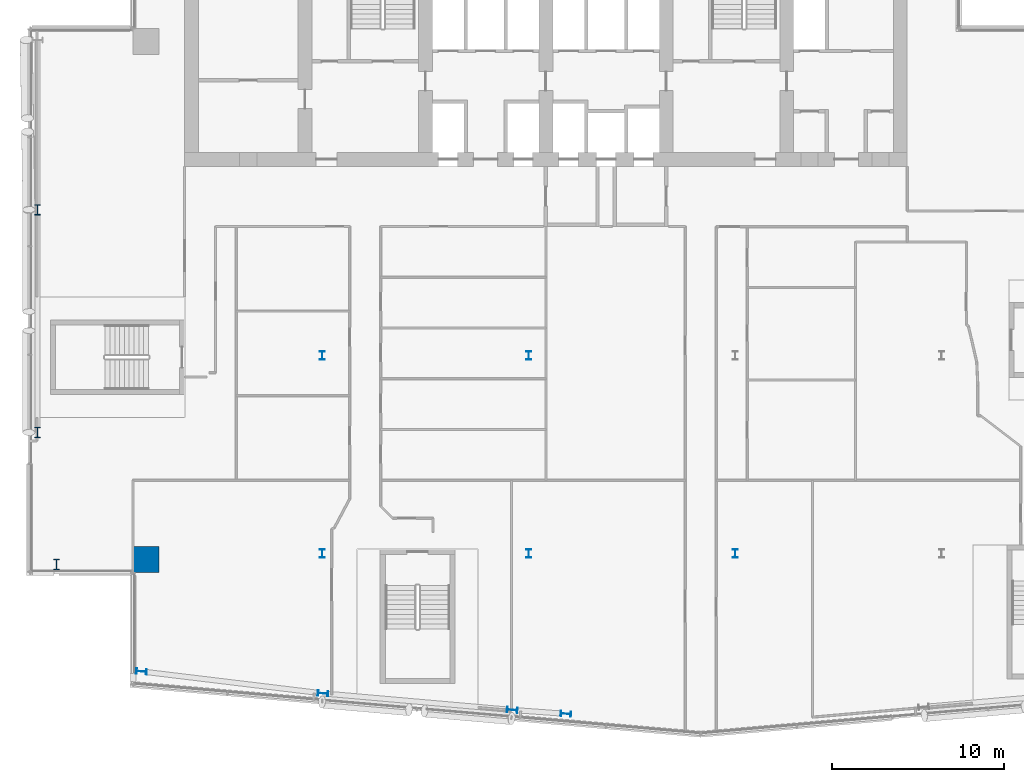
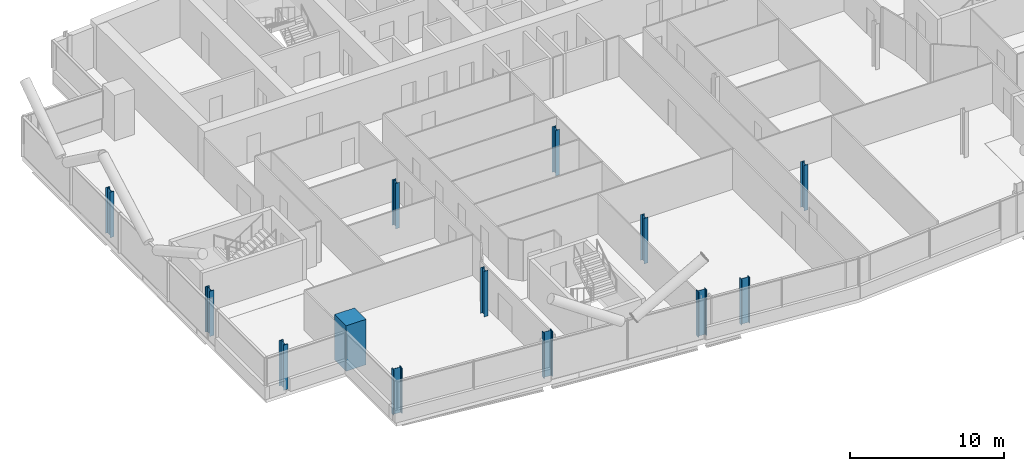
# One storey, part 1 of 26: 13 columns.
"""IFC4 building model written with IfcOpenShell, lengths in metres."""

from ifc_helpers import new_model, si_unit, direction, frame, origin, origin_2d, place, context, subcontext, project, spatial, rectangle, i_section, extrude, material, material_profile, profile_set, type_object, element, save


model = new_model("IFC4")

# Units and contexts
model_context = context("Model", 3, precision=1e-05, world=origin(), true_north=direction((0.0, 1.0)))
body_context = subcontext(model_context, "Body", "Model", "MODEL_VIEW")
ifc_project = project(units=[si_unit("LENGTHUNIT", "METRE"), si_unit("AREAUNIT", "SQUARE_METRE"), si_unit("VOLUMEUNIT", "CUBIC_METRE"), si_unit("PLANEANGLEUNIT", "RADIAN"), si_unit("MASSUNIT", "GRAM", prefix="KILO")], contexts=[model_context])

# Site, building, storey
site_placement = place(None, origin())
site = spatial("IfcSite", under=ifc_project, at=site_placement, CompositionType="ELEMENT")
building_placement = place(site_placement, origin())
building = spatial("IfcBuilding", under=site, at=building_placement, Name="Wharfspan Tower", CompositionType="ELEMENT")
storey_placement = place(building_placement, frame((0.0, 0.0, 173.5)))
storey = spatial("IfcBuildingStorey", under=building, at=storey_placement, Name="L42", CompositionType="ELEMENT", Elevation=173.5)

# Columns
ifc_material_1 = material(Name="Steel S355J2", Category="steel")
ifc_material_profile_1 = material_profile(ifc_material_1, i_section(OverallWidth=0.300049, OverallDepth=0.5, WebThickness=0.014404, FlangeThickness=0.028076, FilletRadius=0.0271, at=origin_2d()))
ifc_profile_set_1 = profile_set([ifc_material_profile_1], Name="Steel S355J2")
column_type_1 = type_object("IfcColumnType", Name="Column HEB 500", PredefinedType="COLUMN", material=ifc_profile_set_1)
for number, where, z_axis, x_axis, name in (
    (1, (24.0, 11.5, 0.0), (0.0, 0.0, 1.0), (1.0, 0.0, 0.0), "Interior column I.1.1 L42"),
    (2, (36.0, 11.5, 0.0), (0.0, 0.0, 1.0), (1.0, 0.0, 0.0), "Interior column I.1.2 L42"),
    (3, (48.0, 11.5, 0.0), (0.0, 0.0, 1.0), (1.0, 0.0, 0.0), "Interior column I.1.3 L42"),
    (4, (24.0, 23.0, 0.0), (0.0, 0.0, 1.0), (1.0, 0.0, 0.0), "Interior column I.2.1 L42"),
    (5, (36.0, 23.0, 0.0), (0.0, 0.0, 1.0), (1.0, 0.0, 0.0), "Interior column I.2.2 L42"),
):
    element("IfcColumn", number, at=place(storey_placement, frame(where, z_axis=z_axis, x_axis=x_axis)), inside=storey, type_object=column_type_1, Name=name, PredefinedType="COLUMN", context=body_context, shape_type="SweptSolid", body=[
        extrude(i_section(OverallWidth=0.300049, OverallDepth=0.5, WebThickness=0.014404, FlangeThickness=0.028076, FilletRadius=0.0271, at=origin_2d()), origin(), (0.0, 0.0, 1.0), 3.600098),
    ])
ifc_material_profile_2 = material_profile(ifc_material_1, i_section(OverallWidth=0.304932, OverallDepth=0.620117, WebThickness=0.020996, FlangeThickness=0.040039, FilletRadius=0.0271, at=origin_2d()))
ifc_profile_set_2 = profile_set([ifc_material_profile_2], Name="Steel S355J2")
column_type_2 = type_object("IfcColumnType", Name="Column HEM 600", PredefinedType="COLUMN", material=ifc_profile_set_2)
for number, where, z_axis, x_axis, name in (
    (6, (13.490723, 4.637451, 0.0), (0.0, 0.0, 1.0), (-0.087156, -0.996198, 0.0), "Perimeter column PS1.1 L42"),
    (7, (24.039307, 3.361084, 0.0), (0.0, 0.0, 1.0), (-0.087156, -0.996198, 0.0), "Perimeter column PS1.2 L42"),
    (8, (35.039307, 2.398682, 0.0), (0.0, 0.0, 1.0), (-0.087156, -0.996198, 0.0), "Perimeter column PS1.3 L42"),
    (9, (38.161133, 2.174072, 0.0), (0.0, 0.0, 1.0), (-0.087156, -0.996198, 0.0), "Perimeter column PS1.4 L42"),
    (10, (7.449951, 31.466553, 0.0), (0.0, 0.0, 1.0), (-1.0, 0.0, 0.0), "Perimeter column PW.1 L42"),
    (11, (7.449951, 18.533447, 0.0), (0.0, 0.0, 1.0), (-1.0, 0.0, 0.0), "Perimeter column PW.2 L42"),
    (12, (8.560791, 10.854004, 0.0), (0.0, 0.0, 1.0), (-1.0, 0.0, 0.0), "Perimeter column PW.3 L42"),
):
    element("IfcColumn", number, at=place(storey_placement, frame(where, z_axis=z_axis, x_axis=x_axis)), inside=storey, type_object=column_type_2, Name=name, PredefinedType="COLUMN", context=body_context, shape_type="SweptSolid", body=[
        extrude(i_section(OverallWidth=0.304932, OverallDepth=0.620117, WebThickness=0.020996, FlangeThickness=0.040039, FilletRadius=0.0271, at=origin_2d()), origin(), (0.0, 0.0, 1.0), 3.600098),
    ])
ifc_material_2 = material(Name="Concrete C60/75", Category="concrete")
ifc_material_profile_3 = material_profile(ifc_material_2, rectangle(XDim=1.5, YDim=1.5, at=origin_2d()))
ifc_profile_set_3 = profile_set([ifc_material_profile_3], Name="Concrete C60/75")
column_type_3 = type_object("IfcColumnType", Name="Mega column 1500 C60/75", PredefinedType="COLUMN", material=ifc_profile_set_3)
column_placement = place(storey_placement, frame((13.75, 11.149902, 0.0), z_axis=(0.0, 0.0, 1.0), x_axis=(1.0, 0.0, 0.0)))
element("IfcColumn", 13, at=column_placement, inside=storey, type_object=column_type_3, Name="Mega column MC1 L42", PredefinedType="COLUMN", context=body_context, shape_type="SweptSolid", body=[
    extrude(rectangle(XDim=1.5, YDim=1.5, at=origin_2d()), origin(), (0.0, 0.0, 1.0), 3.600098),
])

save(model, "model.ifc")
